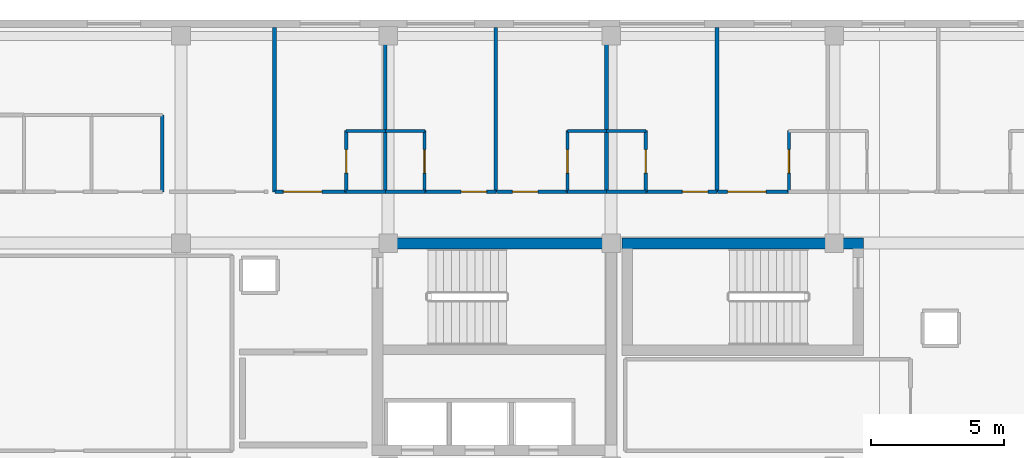
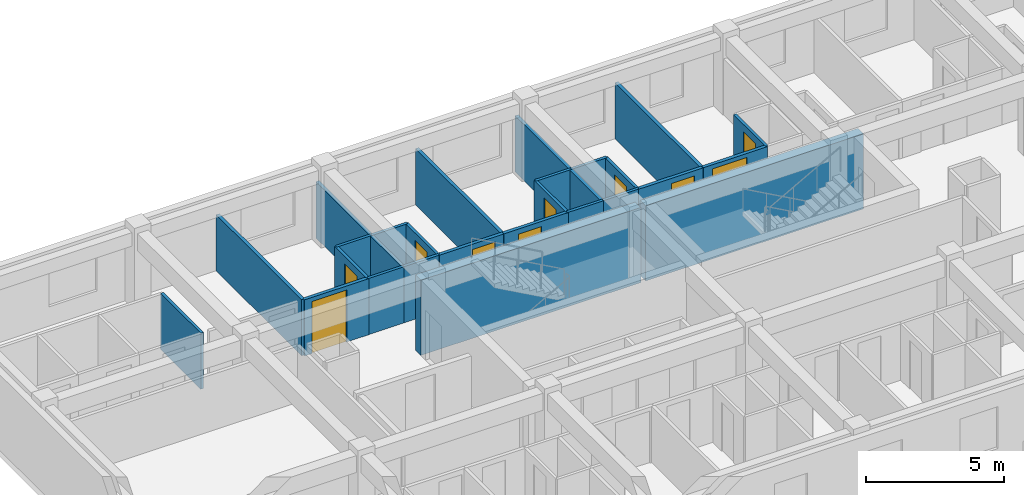
# One storey, part 4 of 10: 26 walls, 10 doors, 10 openings.
"""IFC4 building model written with IfcOpenShell, lengths in metres."""

from ifc_helpers import new_model, si_unit, direction, frame, frame_2d, origin, place, context, subcontext, project, spatial, rectangle, extrude, material, layer, layer_set, type_object, element, fill, save


model = new_model("IFC4")

# Units and contexts
model_context = context("Model", 3, precision=1e-05, world=origin(), true_north=direction((0.0, 1.0)))
body_context = subcontext(model_context, "Body", "Model", "MODEL_VIEW")
ifc_project = project(units=[si_unit("LENGTHUNIT", "METRE"), si_unit("AREAUNIT", "SQUARE_METRE"), si_unit("VOLUMEUNIT", "CUBIC_METRE"), si_unit("PLANEANGLEUNIT", "RADIAN"), si_unit("MASSUNIT", "GRAM", prefix="KILO")], contexts=[model_context])

# Site, building, storey
site_placement = place(None, origin())
site = spatial("IfcSite", under=ifc_project, at=site_placement, CompositionType="ELEMENT")
building_placement = place(site_placement, origin())
building = spatial("IfcBuilding", under=site, at=building_placement, Name="Zayran Congress Hotel", CompositionType="ELEMENT")
storey_placement = place(building_placement, frame((0.0, 0.0, 30.0)))
storey = spatial("IfcBuildingStorey", under=building, at=storey_placement, Name="L07", CompositionType="ELEMENT", Elevation=30.0)

# Walls
ifc_material_1 = material(Name="Concrete C40/50", Category="concrete")
ifc_layer_1 = layer(ifc_material_1, 0.39990234375)
ifc_layer_set_1 = layer_set([ifc_layer_1], Name="Concrete C40/50")
wall_type_1 = type_object("IfcWallType", Name="WL-SH-400", PredefinedType="SHEAR", material=ifc_layer_set_1)
wall_1_placement = place(storey_placement, frame((33.800048828125, 25.5849609375, 0.0), z_axis=(0.0, 0.0, 1.0), x_axis=(-1.0, 0.0, 0.0)))
element("IfcWall", 1, at=wall_1_placement, inside=storey, type_object=wall_type_1, Name="CWALL-C-V5W-L07-N", PredefinedType="SHEAR", context=body_context, shape_type="SweptSolid", body=[
    extrude(rectangle(XDim=9.199951171875, YDim=0.39990234375, at=frame_2d((4.60009765625, 0.0))), origin(), (0.0, 0.0, 1.0), 3.320068359375),
])
wall_2_placement = place(storey_placement, frame((43.10009765625, 25.5849609375, 0.0), z_axis=(0.0, 0.0, 1.0), x_axis=(-1.0, 0.0, 0.0)))
element("IfcWall", 2, at=wall_2_placement, inside=storey, type_object=wall_type_1, Name="CWALL-C-V5M-L07-N", PredefinedType="SHEAR", context=body_context, shape_type="SweptSolid", body=[
    extrude(rectangle(XDim=9.10009765625, YDim=0.39990234375, at=frame_2d((4.550048828125, 0.0))), origin(), (0.0, 0.0, 1.0), 3.320068359375),
])

# Wall, opening, door
ifc_material_2 = material(Name="Hospitality guestroom acoustic partition", Category="gypsum")
ifc_layer_2 = layer(ifc_material_2, 0.139892578125)
ifc_layer_set_2 = layer_set([ifc_layer_2], Name="Hospitality guestroom acoustic partition")
wall_type_2 = type_object("IfcWallType", Name="WL-PT-140", PredefinedType="PARTITIONING", material=ifc_layer_set_2)
wall_3_placement = place(storey_placement, frame((20.93994140625, 27.530029296875, 0.0), z_axis=(0.0, 0.0, 1.0), x_axis=(1.0, 0.0, 0.0)))
wall_3 = element("IfcWall", 3, at=wall_3_placement, inside=storey, type_object=wall_type_2, Name="IW-L07-0741", PredefinedType="PARTITIONING", context=body_context, shape_type="SweptSolid", body=[
    extrude(rectangle(XDim=2.68505859375, YDim=0.139892578125, at=frame_2d((1.342529296875, 0.0))), origin(), (0.0, 0.0, 1.0), 2.47998046875),
])
opening_1_placement = place(wall_3_placement, frame((0.31103515625, 0.0, 0.0)))
opening_1 = element("IfcOpeningElement", 4, at=opening_1_placement, cuts=wall_3, Name="Opening DR-ST-01", PredefinedType="OPENING", context=body_context, shape_type="SweptSolid", body=[
    extrude(rectangle(XDim=1.449951171875, YDim=2.300048828125, at=frame_2d((0.72509765625, 1.14990234375))), frame((0.0, 0.079833984375, 0.0), z_axis=(0.0, -1.0, 0.0), x_axis=(1.0, 0.0, 0.0)), (0.0, 0.0, 1.0), 0.159912109375),
])
ifc_material_3 = material(Name="Double walnut veneer suite entry door", Category="wood")
door_type_1 = type_object("IfcDoorType", Name="TP-DR-ST-01", OperationType="DOUBLE_DOOR_SINGLE_SWING", PredefinedType="DOOR", material=ifc_material_3)
door_1_placement = place(opening_1_placement, origin())
door_1 = element("IfcDoor", 5, at=door_1_placement, inside=storey, type_object=door_type_1, Name="Executive Suite L07-14 Door", OperationType="DOUBLE_DOOR_SINGLE_SWING", OverallHeight=2.300048828125, OverallWidth=1.449951171875, PredefinedType="DOOR", context=body_context, shape_type="SweptSolid", body=[
    extrude(rectangle(XDim=1.449951171875, YDim=2.300048828125, at=frame_2d((0.72509765625, 1.14990234375))), frame((0.0, 0.02490234375, 0.0), z_axis=(0.0, -1.0, 0.0), x_axis=(1.0, 0.0, 0.0)), (0.0, 0.0, 1.0), 0.050048828125),
])
fill(opening_1, door_1)

wall_4_placement = place(storey_placement, frame((26.569091796875, 27.530029296875, 0.0), z_axis=(0.0, 0.0, 1.0), x_axis=(1.0, 0.0, 0.0)))
wall_4 = element("IfcWall", 6, at=wall_4_placement, inside=storey, type_object=wall_type_2, Name="IW-L07-0742", PredefinedType="PARTITIONING", context=body_context, shape_type="SweptSolid", body=[
    extrude(rectangle(XDim=2.684814453125, YDim=0.139892578125, at=frame_2d((1.34228515625, 0.0))), origin(), (0.0, 0.0, 1.0), 2.47998046875),
])
opening_2_placement = place(wall_4_placement, frame((1.37890625, 0.0, 0.0)))
opening_2 = element("IfcOpeningElement", 7, at=opening_2_placement, cuts=wall_4, Name="Opening DR-GR-03", PredefinedType="OPENING", context=body_context, shape_type="SweptSolid", body=[
    extrude(rectangle(XDim=0.9599609375, YDim=2.25, at=frame_2d((0.47998046875, 1.125))), frame((0.0, 0.079833984375, 0.0), z_axis=(0.0, -1.0, 0.0), x_axis=(1.0, 0.0, 0.0)), (0.0, 0.0, 1.0), 0.159912109375),
])
ifc_material_4 = material(Name="Executive walnut veneer entry door", Category="wood")
door_type_2 = type_object("IfcDoorType", Name="TP-DR-GR-03", OperationType="NOTDEFINED", PredefinedType="DOOR", material=ifc_material_4)
door_2_placement = place(opening_2_placement, origin())
door_2 = element("IfcDoor", 8, at=door_2_placement, inside=storey, type_object=door_type_2, Name="Guest Room L07-15 Door", OperationType="SINGLE_SWING_LEFT", OverallHeight=2.25, OverallWidth=0.9599609375, PredefinedType="DOOR", context=body_context, shape_type="SweptSolid", body=[
    extrude(rectangle(XDim=0.9599609375, YDim=2.25, at=frame_2d((0.47998046875, 1.125))), frame((0.0, 0.02490234375, 0.0), z_axis=(0.0, -1.0, 0.0), x_axis=(1.0, 0.0, 0.0)), (0.0, 0.0, 1.0), 0.050048828125),
])
fill(opening_2, door_2)

wall_5_placement = place(storey_placement, frame((29.27392578125, 27.530029296875, 0.0), z_axis=(0.0, 0.0, 1.0), x_axis=(1.0, 0.0, 0.0)))
wall_5 = element("IfcWall", 9, at=wall_5_placement, inside=storey, type_object=wall_type_2, Name="IW-L07-0743", PredefinedType="PARTITIONING", context=body_context, shape_type="SweptSolid", body=[
    extrude(rectangle(XDim=2.68505859375, YDim=0.139892578125, at=frame_2d((1.342529296875, 0.0))), origin(), (0.0, 0.0, 1.0), 2.47998046875),
])
opening_3_placement = place(wall_5_placement, frame((0.60400390625, 0.0, 0.0)))
opening_3 = element("IfcOpeningElement", 10, at=opening_3_placement, cuts=wall_5, Name="Opening DR-GR-03", PredefinedType="OPENING", context=body_context, shape_type="SweptSolid", body=[
    extrude(rectangle(XDim=0.9599609375, YDim=2.25, at=frame_2d((0.47998046875, 1.125))), frame((0.0, 0.079833984375, 0.0), z_axis=(0.0, -1.0, 0.0), x_axis=(1.0, 0.0, 0.0)), (0.0, 0.0, 1.0), 0.159912109375),
])
door_3_placement = place(opening_3_placement, origin())
door_3 = element("IfcDoor", 11, at=door_3_placement, inside=storey, type_object=door_type_2, Name="Guest Room L07-16 Door", OperationType="SINGLE_SWING_RIGHT", OverallHeight=2.25, OverallWidth=0.9599609375, PredefinedType="DOOR", context=body_context, shape_type="SweptSolid", body=[
    extrude(rectangle(XDim=0.9599609375, YDim=2.25, at=frame_2d((0.47998046875, 1.125))), frame((0.0, 0.02490234375, 0.0), z_axis=(0.0, -1.0, 0.0), x_axis=(1.0, 0.0, 0.0)), (0.0, 0.0, 1.0), 0.050048828125),
])
fill(opening_3, door_3)

wall_6_placement = place(storey_placement, frame((34.903076171875, 27.530029296875, 0.0), z_axis=(0.0, 0.0, 1.0), x_axis=(1.0, 0.0, 0.0)))
wall_6 = element("IfcWall", 12, at=wall_6_placement, inside=storey, type_object=wall_type_2, Name="IW-L07-0744", PredefinedType="PARTITIONING", context=body_context, shape_type="SweptSolid", body=[
    extrude(rectangle(XDim=2.684814453125, YDim=0.139892578125, at=frame_2d((1.34228515625, 0.0))), origin(), (0.0, 0.0, 1.0), 2.47998046875),
])
opening_4_placement = place(wall_6_placement, frame((1.37890625, 0.0, 0.0)))
opening_4 = element("IfcOpeningElement", 13, at=opening_4_placement, cuts=wall_6, Name="Opening DR-GR-03", PredefinedType="OPENING", context=body_context, shape_type="SweptSolid", body=[
    extrude(rectangle(XDim=0.9599609375, YDim=2.25, at=frame_2d((0.47998046875, 1.125))), frame((0.0, 0.079833984375, 0.0), z_axis=(0.0, -1.0, 0.0), x_axis=(1.0, 0.0, 0.0)), (0.0, 0.0, 1.0), 0.159912109375),
])
door_4_placement = place(opening_4_placement, origin())
door_4 = element("IfcDoor", 14, at=door_4_placement, inside=storey, type_object=door_type_2, Name="Guest Room L07-17 Door", OperationType="SINGLE_SWING_LEFT", OverallHeight=2.25, OverallWidth=0.9599609375, PredefinedType="DOOR", context=body_context, shape_type="SweptSolid", body=[
    extrude(rectangle(XDim=0.9599609375, YDim=2.25, at=frame_2d((0.47998046875, 1.125))), frame((0.0, 0.02490234375, 0.0), z_axis=(0.0, -1.0, 0.0), x_axis=(1.0, 0.0, 0.0)), (0.0, 0.0, 1.0), 0.050048828125),
])
fill(opening_4, door_4)

wall_7_placement = place(storey_placement, frame((37.60791015625, 27.530029296875, 0.0), z_axis=(0.0, 0.0, 1.0), x_axis=(1.0, 0.0, 0.0)))
wall_7 = element("IfcWall", 15, at=wall_7_placement, inside=storey, type_object=wall_type_2, Name="IW-L07-0745", PredefinedType="PARTITIONING", context=body_context, shape_type="SweptSolid", body=[
    extrude(rectangle(XDim=2.68505859375, YDim=0.139892578125, at=frame_2d((1.342529296875, 0.0))), origin(), (0.0, 0.0, 1.0), 2.47998046875),
])
opening_5_placement = place(wall_7_placement, frame((0.37890625, 0.0, 0.0)))
opening_5 = element("IfcOpeningElement", 16, at=opening_5_placement, cuts=wall_7, Name="Opening DR-ST-01", PredefinedType="OPENING", context=body_context, shape_type="SweptSolid", body=[
    extrude(rectangle(XDim=1.449951171875, YDim=2.300048828125, at=frame_2d((0.72509765625, 1.14990234375))), frame((0.0, 0.079833984375, 0.0), z_axis=(0.0, -1.0, 0.0), x_axis=(1.0, 0.0, 0.0)), (0.0, 0.0, 1.0), 0.159912109375),
])
door_5_placement = place(opening_5_placement, origin())
door_5 = element("IfcDoor", 17, at=door_5_placement, inside=storey, type_object=door_type_1, Name="Executive Suite L07-18 Door", OperationType="DOUBLE_DOOR_SINGLE_SWING", OverallHeight=2.300048828125, OverallWidth=1.449951171875, PredefinedType="DOOR", context=body_context, shape_type="SweptSolid", body=[
    extrude(rectangle(XDim=1.449951171875, YDim=2.300048828125, at=frame_2d((0.72509765625, 1.14990234375))), frame((0.0, 0.02490234375, 0.0), z_axis=(0.0, -1.0, 0.0), x_axis=(1.0, 0.0, 0.0)), (0.0, 0.0, 1.0), 0.050048828125),
])
fill(opening_5, door_5)

# Walls
for number, where, z_axis, x_axis, name in (
    (18, (20.919921875, 27.52001953125, 0.0), (0.0, 0.0, 1.0), (0.0, 1.0, 0.0), "IW-L07-2073"),
    (19, (25.0869140625, 27.52001953125, 0.0), (0.0, 0.0, 1.0), (0.0, 1.0, 0.0), "IW-L07-2074"),
    (20, (29.25390625, 27.52001953125, 0.0), (0.0, 0.0, 1.0), (0.0, 1.0, 0.0), "IW-L07-2075"),
    (21, (33.4208984375, 27.52001953125, 0.0), (0.0, 0.0, 1.0), (0.0, 1.0, 0.0), "IW-L07-2076"),
    (22, (37.587890625, 27.52001953125, 0.0), (0.0, 0.0, 1.0), (0.0, 1.0, 0.0), "IW-L07-2077"),
):
    element("IfcWall", number, at=place(storey_placement, frame(where, z_axis=z_axis, x_axis=x_axis)), inside=storey, type_object=wall_type_2, Name=name, PredefinedType="PARTITIONING", context=body_context, shape_type="SweptSolid", body=[
        extrude(rectangle(XDim=6.199951171875, YDim=0.139892578125, at=frame_2d((3.10009765625, 0.0))), origin(), (0.0, 0.0, 1.0), 2.47998046875),
    ])

# Wall, opening, door
ifc_material_5 = material(Name="Moisture-resistant bathroom partition", Category="gypsum")
ifc_layer_3 = layer(ifc_material_5, 0.1201171875)
ifc_layer_set_3 = layer_set([ifc_layer_3], Name="Moisture-resistant bathroom partition")
wall_type_3 = type_object("IfcWallType", Name="WL-PT-120", PredefinedType="PARTITIONING", material=ifc_layer_set_3)
wall_8_placement = place(storey_placement, frame((23.625, 27.52001953125, 0.0), z_axis=(0.0, 0.0, 1.0), x_axis=(0.0, 1.0, 0.0)))
wall_8 = element("IfcWall", 23, at=wall_8_placement, inside=storey, type_object=wall_type_3, Name="IW-L07-0232", PredefinedType="PARTITIONING", context=body_context, shape_type="SweptSolid", body=[
    extrude(rectangle(XDim=2.31005859375, YDim=0.1201171875, at=frame_2d((1.155029296875, 0.0))), origin(), (0.0, 0.0, 1.0), 2.47998046875),
])
opening_6_placement = place(wall_8_placement, frame((0.715087890625, 0.0, 0.0)))
opening_6 = element("IfcOpeningElement", 24, at=opening_6_placement, cuts=wall_8, Name="Opening DR-BT-01", PredefinedType="OPENING", context=body_context, shape_type="SweptSolid", body=[
    extrude(rectangle(XDim=0.8798828125, YDim=2.14990234375, at=frame_2d((0.43994140625, 1.074951171875))), frame((0.0, 0.070068359375, 0.0), z_axis=(0.0, -1.0, 0.0), x_axis=(1.0, 0.0, 0.0)), (0.0, 0.0, 1.0), 0.14013671875),
])
ifc_material_6 = material(Name="Moisture-resistant oak en-suite door", Category="wood")
door_type_3 = type_object("IfcDoorType", Name="TP-DR-BT-01", OperationType="NOTDEFINED", PredefinedType="DOOR", material=ifc_material_6)
door_6_placement = place(opening_6_placement, origin())
door_6 = element("IfcDoor", 25, at=door_6_placement, inside=storey, type_object=door_type_3, Name="En-Suite Bathroom L07-14 Door", OperationType="SINGLE_SWING_LEFT", OverallHeight=2.14990234375, OverallWidth=0.8798828125, PredefinedType="DOOR", context=body_context, shape_type="SweptSolid", body=[
    extrude(rectangle(XDim=0.8798828125, YDim=2.14990234375, at=frame_2d((0.43994140625, 1.074951171875))), frame((0.0, 0.02490234375, 0.0), z_axis=(0.0, -1.0, 0.0), x_axis=(1.0, 0.0, 0.0)), (0.0, 0.0, 1.0), 0.050048828125),
])
fill(opening_6, door_6)

wall_9_placement = place(storey_placement, frame((26.569091796875, 27.52001953125, 0.0), z_axis=(0.0, 0.0, 1.0), x_axis=(0.0, 1.0, 0.0)))
wall_9 = element("IfcWall", 26, at=wall_9_placement, inside=storey, type_object=wall_type_3, Name="IW-L07-0233", PredefinedType="PARTITIONING", context=body_context, shape_type="SweptSolid", body=[
    extrude(rectangle(XDim=2.31005859375, YDim=0.1201171875, at=frame_2d((1.155029296875, 0.0))), origin(), (0.0, 0.0, 1.0), 2.47998046875),
])
opening_7_placement = place(wall_9_placement, frame((0.715087890625, 0.0, 0.0)))
opening_7 = element("IfcOpeningElement", 27, at=opening_7_placement, cuts=wall_9, Name="Opening DR-BT-01", PredefinedType="OPENING", context=body_context, shape_type="SweptSolid", body=[
    extrude(rectangle(XDim=0.8798828125, YDim=2.14990234375, at=frame_2d((0.43994140625, 1.074951171875))), frame((0.0, 0.070068359375, 0.0), z_axis=(0.0, -1.0, 0.0), x_axis=(1.0, 0.0, 0.0)), (0.0, 0.0, 1.0), 0.14013671875),
])
door_7_placement = place(opening_7_placement, origin())
door_7 = element("IfcDoor", 28, at=door_7_placement, inside=storey, type_object=door_type_3, Name="En-Suite Bathroom L07-15 Door", OperationType="SINGLE_SWING_RIGHT", OverallHeight=2.14990234375, OverallWidth=0.8798828125, PredefinedType="DOOR", context=body_context, shape_type="SweptSolid", body=[
    extrude(rectangle(XDim=0.8798828125, YDim=2.14990234375, at=frame_2d((0.43994140625, 1.074951171875))), frame((0.0, 0.02490234375, 0.0), z_axis=(0.0, -1.0, 0.0), x_axis=(1.0, 0.0, 0.0)), (0.0, 0.0, 1.0), 0.050048828125),
])
fill(opening_7, door_7)

wall_10_placement = place(storey_placement, frame((31.958984375, 27.52001953125, 0.0), z_axis=(0.0, 0.0, 1.0), x_axis=(0.0, 1.0, 0.0)))
wall_10 = element("IfcWall", 29, at=wall_10_placement, inside=storey, type_object=wall_type_3, Name="IW-L07-0234", PredefinedType="PARTITIONING", context=body_context, shape_type="SweptSolid", body=[
    extrude(rectangle(XDim=2.31005859375, YDim=0.1201171875, at=frame_2d((1.155029296875, 0.0))), origin(), (0.0, 0.0, 1.0), 2.47998046875),
])
opening_8_placement = place(wall_10_placement, frame((0.715087890625, 0.0, 0.0)))
opening_8 = element("IfcOpeningElement", 30, at=opening_8_placement, cuts=wall_10, Name="Opening DR-BT-01", PredefinedType="OPENING", context=body_context, shape_type="SweptSolid", body=[
    extrude(rectangle(XDim=0.8798828125, YDim=2.14990234375, at=frame_2d((0.43994140625, 1.074951171875))), frame((0.0, 0.070068359375, 0.0), z_axis=(0.0, -1.0, 0.0), x_axis=(1.0, 0.0, 0.0)), (0.0, 0.0, 1.0), 0.14013671875),
])
door_8_placement = place(opening_8_placement, origin())
door_8 = element("IfcDoor", 31, at=door_8_placement, inside=storey, type_object=door_type_3, Name="En-Suite Bathroom L07-16 Door", OperationType="SINGLE_SWING_LEFT", OverallHeight=2.14990234375, OverallWidth=0.8798828125, PredefinedType="DOOR", context=body_context, shape_type="SweptSolid", body=[
    extrude(rectangle(XDim=0.8798828125, YDim=2.14990234375, at=frame_2d((0.43994140625, 1.074951171875))), frame((0.0, 0.02490234375, 0.0), z_axis=(0.0, -1.0, 0.0), x_axis=(1.0, 0.0, 0.0)), (0.0, 0.0, 1.0), 0.050048828125),
])
fill(opening_8, door_8)

wall_11_placement = place(storey_placement, frame((34.903076171875, 27.52001953125, 0.0), z_axis=(0.0, 0.0, 1.0), x_axis=(0.0, 1.0, 0.0)))
wall_11 = element("IfcWall", 32, at=wall_11_placement, inside=storey, type_object=wall_type_3, Name="IW-L07-0235", PredefinedType="PARTITIONING", context=body_context, shape_type="SweptSolid", body=[
    extrude(rectangle(XDim=2.31005859375, YDim=0.1201171875, at=frame_2d((1.155029296875, 0.0))), origin(), (0.0, 0.0, 1.0), 2.47998046875),
])
opening_9_placement = place(wall_11_placement, frame((0.715087890625, 0.0, 0.0)))
opening_9 = element("IfcOpeningElement", 33, at=opening_9_placement, cuts=wall_11, Name="Opening DR-BT-01", PredefinedType="OPENING", context=body_context, shape_type="SweptSolid", body=[
    extrude(rectangle(XDim=0.8798828125, YDim=2.14990234375, at=frame_2d((0.43994140625, 1.074951171875))), frame((0.0, 0.070068359375, 0.0), z_axis=(0.0, -1.0, 0.0), x_axis=(1.0, 0.0, 0.0)), (0.0, 0.0, 1.0), 0.14013671875),
])
door_9_placement = place(opening_9_placement, origin())
door_9 = element("IfcDoor", 34, at=door_9_placement, inside=storey, type_object=door_type_3, Name="En-Suite Bathroom L07-17 Door", OperationType="SINGLE_SWING_RIGHT", OverallHeight=2.14990234375, OverallWidth=0.8798828125, PredefinedType="DOOR", context=body_context, shape_type="SweptSolid", body=[
    extrude(rectangle(XDim=0.8798828125, YDim=2.14990234375, at=frame_2d((0.43994140625, 1.074951171875))), frame((0.0, 0.02490234375, 0.0), z_axis=(0.0, -1.0, 0.0), x_axis=(1.0, 0.0, 0.0)), (0.0, 0.0, 1.0), 0.050048828125),
])
fill(opening_9, door_9)

wall_12_placement = place(storey_placement, frame((40.29296875, 27.52001953125, 0.0), z_axis=(0.0, 0.0, 1.0), x_axis=(0.0, 1.0, 0.0)))
wall_12 = element("IfcWall", 35, at=wall_12_placement, inside=storey, type_object=wall_type_3, Name="IW-L07-0236", PredefinedType="PARTITIONING", context=body_context, shape_type="SweptSolid", body=[
    extrude(rectangle(XDim=2.31005859375, YDim=0.1201171875, at=frame_2d((1.155029296875, 0.0))), origin(), (0.0, 0.0, 1.0), 2.47998046875),
])
opening_10_placement = place(wall_12_placement, frame((0.715087890625, 0.0, 0.0)))
opening_10 = element("IfcOpeningElement", 36, at=opening_10_placement, cuts=wall_12, Name="Opening DR-BT-01", PredefinedType="OPENING", context=body_context, shape_type="SweptSolid", body=[
    extrude(rectangle(XDim=0.8798828125, YDim=2.14990234375, at=frame_2d((0.43994140625, 1.074951171875))), frame((0.0, 0.070068359375, 0.0), z_axis=(0.0, -1.0, 0.0), x_axis=(1.0, 0.0, 0.0)), (0.0, 0.0, 1.0), 0.14013671875),
])
door_10_placement = place(opening_10_placement, origin())
door_10 = element("IfcDoor", 37, at=door_10_placement, inside=storey, type_object=door_type_3, Name="En-Suite Bathroom L07-18 Door", OperationType="SINGLE_SWING_LEFT", OverallHeight=2.14990234375, OverallWidth=0.8798828125, PredefinedType="DOOR", context=body_context, shape_type="SweptSolid", body=[
    extrude(rectangle(XDim=0.8798828125, YDim=2.14990234375, at=frame_2d((0.43994140625, 1.074951171875))), frame((0.0, 0.02490234375, 0.0), z_axis=(0.0, -1.0, 0.0), x_axis=(1.0, 0.0, 0.0)), (0.0, 0.0, 1.0), 0.050048828125),
])
fill(opening_10, door_10)

# Walls
for number, where, z_axis, x_axis, name in (
    (38, (23.614990234375, 27.530029296875, 0.0), (0.0, 0.0, 1.0), (1.0, 0.0, 0.0), "IW-L07-1331"),
    (39, (23.614990234375, 29.820068359375, 0.0), (0.0, 0.0, 1.0), (1.0, 0.0, 0.0), "IW-L07-1332"),
):
    element("IfcWall", number, at=place(storey_placement, frame(where, z_axis=z_axis, x_axis=x_axis)), inside=storey, type_object=wall_type_3, Name=name, PredefinedType="PARTITIONING", context=body_context, shape_type="SweptSolid", body=[
        extrude(rectangle(XDim=1.48193359375, YDim=0.1201171875, at=frame_2d((0.740966796875, 0.0))), origin(), (0.0, 0.0, 1.0), 2.47998046875),
    ])
for number, where, z_axis, x_axis, name in (
    (40, (25.096923828125, 27.530029296875, 0.0), (0.0, 0.0, 1.0), (1.0, 0.0, 0.0), "IW-L07-1333"),
    (41, (25.096923828125, 29.820068359375, 0.0), (0.0, 0.0, 1.0), (1.0, 0.0, 0.0), "IW-L07-1334"),
):
    element("IfcWall", number, at=place(storey_placement, frame(where, z_axis=z_axis, x_axis=x_axis)), inside=storey, type_object=wall_type_3, Name=name, PredefinedType="PARTITIONING", context=body_context, shape_type="SweptSolid", body=[
        extrude(rectangle(XDim=1.482177734375, YDim=0.1201171875, at=frame_2d((0.7412109375, 0.0))), origin(), (0.0, 0.0, 1.0), 2.47998046875),
    ])
for number, where, z_axis, x_axis, name in (
    (42, (31.948974609375, 27.530029296875, 0.0), (0.0, 0.0, 1.0), (1.0, 0.0, 0.0), "IW-L07-1335"),
    (43, (31.948974609375, 29.820068359375, 0.0), (0.0, 0.0, 1.0), (1.0, 0.0, 0.0), "IW-L07-1336"),
):
    element("IfcWall", number, at=place(storey_placement, frame(where, z_axis=z_axis, x_axis=x_axis)), inside=storey, type_object=wall_type_3, Name=name, PredefinedType="PARTITIONING", context=body_context, shape_type="SweptSolid", body=[
        extrude(rectangle(XDim=1.48193359375, YDim=0.1201171875, at=frame_2d((0.740966796875, 0.0))), origin(), (0.0, 0.0, 1.0), 2.47998046875),
    ])
for number, where, z_axis, x_axis, name in (
    (44, (33.430908203125, 27.530029296875, 0.0), (0.0, 0.0, 1.0), (1.0, 0.0, 0.0), "IW-L07-1337"),
    (45, (33.430908203125, 29.820068359375, 0.0), (0.0, 0.0, 1.0), (1.0, 0.0, 0.0), "IW-L07-1338"),
):
    element("IfcWall", number, at=place(storey_placement, frame(where, z_axis=z_axis, x_axis=x_axis)), inside=storey, type_object=wall_type_3, Name=name, PredefinedType="PARTITIONING", context=body_context, shape_type="SweptSolid", body=[
        extrude(rectangle(XDim=1.482177734375, YDim=0.1201171875, at=frame_2d((0.7412109375, 0.0))), origin(), (0.0, 0.0, 1.0), 2.47998046875),
    ])
wall_13_placement = place(storey_placement, frame((16.68994140625, 27.52001953125, 0.0), z_axis=(0.0, 0.0, 1.0), x_axis=(0.0, 1.0, 0.0)))
element("IfcWall", 46, at=wall_13_placement, inside=storey, type_object=wall_type_3, Name="IW-L07-1611", PredefinedType="PARTITIONING", context=body_context, shape_type="SweptSolid", body=[
    extrude(rectangle(XDim=2.909912109375, YDim=0.1201171875, at=frame_2d((1.455078125, 0.0))), origin(), (0.0, 0.0, 1.0), 2.47998046875),
])

save(model, "model.ifc")
